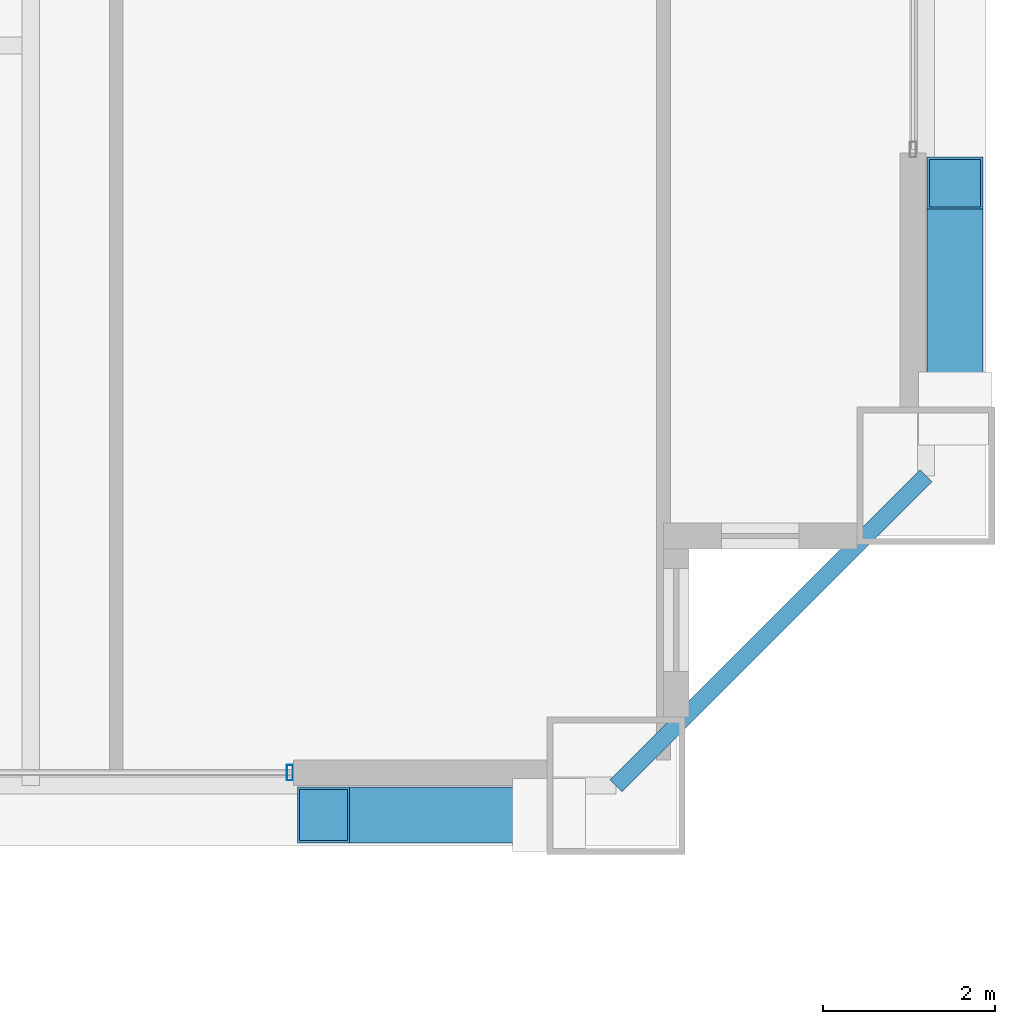
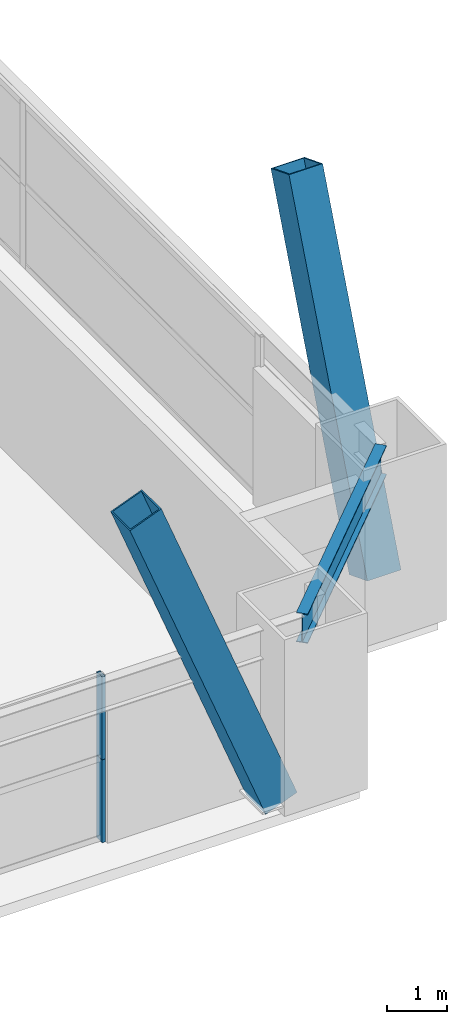
# One storey, part 16 of 43: 4 members, 1 beam, 1 element without a shape of its own.
"""IFC4 building model written with IfcOpenShell, lengths in metres."""

from ifc_helpers import new_model, si_unit, direction, frame, origin, origin_2d, place, context, subcontext, project, spatial, hollow_rectangle, i_section, extrude, source, transform, mapped, material, layer, layer_set, material_profile, profile_set, type_object, element, aggregate, save


model = new_model("IFC4")

# Units and contexts
model_context = context("Model", 3, precision=1e-05, world=origin(), true_north=direction((0.0, 1.0)))
body_context = subcontext(model_context, "Body", "Model", "MODEL_VIEW")
ifc_project = project(units=[si_unit("LENGTHUNIT", "METRE"), si_unit("AREAUNIT", "SQUARE_METRE"), si_unit("VOLUMEUNIT", "CUBIC_METRE"), si_unit("PLANEANGLEUNIT", "RADIAN"), si_unit("MASSUNIT", "GRAM", prefix="KILO"), si_unit("THERMODYNAMICTEMPERATUREUNIT", "KELVIN"), si_unit("POWERUNIT", "WATT")], contexts=[model_context])

# Site, building, storey
site_placement = place(None, origin())
site = spatial("IfcSite", under=ifc_project, at=site_placement, CompositionType="ELEMENT")
building_placement = place(site_placement, origin())
building = spatial("IfcBuilding", under=site, at=building_placement, Name="Yuzanri Waterfront Tower", CompositionType="ELEMENT")
storey_placement = place(building_placement, frame((0.0, 0.0, 93.800048828125)))
storey = spatial("IfcBuildingStorey", under=building, at=storey_placement, Name="L24", CompositionType="ELEMENT", Elevation=93.800048828125)

# Beam
ifc_material_1 = material(Name="Steel Q355B", Category="steel")
ifc_material_profile_1 = material_profile(ifc_material_1, i_section(OverallWidth=0.199951171875, OverallDepth=0.60009765625, WebThickness=0.010986328125, FlangeThickness=0.01708984375, at=origin_2d()), Name="HN 600x200x11x17")
ifc_profile_set_1 = profile_set([ifc_material_profile_1], Name="Steel Q355B")
beam_type = type_object("IfcBeamType", Name="Perimeter Spandrel Q355B HN 600x200", PredefinedType="SPANDREL", material=ifc_profile_set_1)
shared_shape_1 = source(origin(), body_context, "Body", "SweptSolid", [
    extrude(i_section(OverallWidth=0.199951171875, OverallDepth=0.60009765625, WebThickness=0.010986328125, FlangeThickness=0.01708984375, at=origin_2d()), origin(), (0.0, 0.0, 1.0), 5.09130859375),
])
beam_placement = place(storey_placement, frame((57.0, 2.199951171875, 3.079833984375), z_axis=(0.707106781187, 0.707106781187, 0.0), x_axis=(-0.707106781187, 0.707106781187, 0.0)))
element("IfcBeam", 1, at=beam_placement, inside=storey, type_object=beam_type, Name="L24 Perimeter Spandrel S3-E1", PredefinedType="SPANDREL", context=body_context, shape_type="MappedRepresentation", body=[
    mapped(shared_shape_1, transform((0.0, 0.0, 0.0), scale=1.0)),
])

# Members
ifc_material_2 = material(Name="Steel Q420GJC", Category="steel")
ifc_material_profile_2 = material_profile(ifc_material_2, hollow_rectangle(XDim=0.64990234375, YDim=0.64990234375, WallThickness=0.028076171875, at=origin_2d()), Name="RHS 650x650x28")
ifc_profile_set_2 = profile_set([ifc_material_profile_2], Name="Steel Q420GJC")
member_type_1 = type_object("IfcMemberType", Name="Mega Brace Lower Q420GJC RHS 650x650x28", PredefinedType="BRACE", material=ifc_profile_set_2)
shared_shape_2 = source(origin(), body_context, "Body", "SweptSolid", [
    extrude(hollow_rectangle(XDim=0.64990234375, YDim=0.64990234375, WallThickness=0.028076171875, at=origin_2d()), origin(), (0.0, 0.0, 1.0), 7.19384765625),
])
for number, where, z_axis, x_axis, name in (
    (2, (56.219970703125, 1.860107421875, 0.179931640625), (-0.36417668996, 0.0, 0.9313298763), (0.0, -1.0, 0.0), "L24-L25 Perimeter Mega-Brace S-R"),
    (3, (60.93994140625, 6.580078125, 0.179931640625), (0.0, 0.36417668996, 0.9313298763), (-1.0, 0.0, 0.0), "L24-L25 Perimeter Mega-Brace E-L"),
):
    element("IfcMember", number, at=place(storey_placement, frame(where, z_axis=z_axis, x_axis=x_axis)), inside=storey, type_object=member_type_1, Name=name, PredefinedType="BRACE", context=body_context, shape_type="MappedRepresentation", body=[
        mapped(shared_shape_2, transform((0.0, 0.0, 0.0), scale=1.0)),
    ])

# Curtain wall, members
ifc_material_3 = material(Name="Anodized Architectural Bronze", Category="metal")
ifc_layer = layer(ifc_material_3, 0.159912109375)
ifc_layer_set = layer_set([ifc_layer], Name="Anodized Architectural Bronze")
curtain_wall_type = type_object("IfcCurtainWallType", Name="Anodized Bronze Hotel Upper-Tier Solar-Control Unitized Curtain Wall 7800", PredefinedType="NOTDEFINED", material=ifc_layer_set)
curtain_wall_placement = place(storey_placement, origin())
curtain_wall = element("IfcCurtainWall", 4, at=curtain_wall_placement, inside=storey, type_object=curtain_wall_type, Name="L24 Curtain Wall CW-L24-SR", PredefinedType="NOTDEFINED")
ifc_material_4 = material(Name="Anodized Architectural Bronze", Category="metal")
ifc_material_profile_3 = material_profile(ifc_material_4, hollow_rectangle(XDim=0.070068359375, YDim=0.179931640625, WallThickness=0.00390625, at=origin_2d()), Name="CWM 70x180")
ifc_profile_set_3 = profile_set([ifc_material_profile_3], Name="Anodized Architectural Bronze")
member_type_2 = type_object("IfcMemberType", Name="Anodized Bronze Standard Curtain-Wall Mullion 70x180", PredefinedType="MULLION", material=ifc_profile_set_3)
shared_shape_3 = source(origin(), body_context, "Body", "SweptSolid", [
    extrude(hollow_rectangle(XDim=0.070068359375, YDim=0.179931640625, WallThickness=0.00390625, at=origin_2d()), origin(), (0.0, 0.0, 1.0), 1.68798828125),
])
member_1_placement = place(storey_placement, frame((53.2099609375, 2.35009765625, 0.0), z_axis=(0.0, 0.0, 1.0), x_axis=(1.0, 0.0, 0.0)))
member_1 = element("IfcMember", 5, at=member_1_placement, type_object=member_type_2, Name="CW-L24-SR Lower Mullion 02", PredefinedType="MULLION", context=body_context, shape_type="MappedRepresentation", body=[
    mapped(shared_shape_3, transform((0.0, 0.0, 0.0), scale=1.0)),
])
member_2_placement = place(storey_placement, frame((53.2099609375, 2.35009765625, 1.69189453125), z_axis=(0.0, 0.0, 1.0), x_axis=(1.0, 0.0, 0.0)))
member_2 = element("IfcMember", 6, at=member_2_placement, type_object=member_type_2, Name="CW-L24-SR Upper Mullion 02", PredefinedType="MULLION", context=body_context, shape_type="MappedRepresentation", body=[
    mapped(shared_shape_3, transform((0.0, 0.0, 0.0), scale=1.0)),
])
aggregate(curtain_wall, [member_1, member_2])

save(model, "model.ifc")
